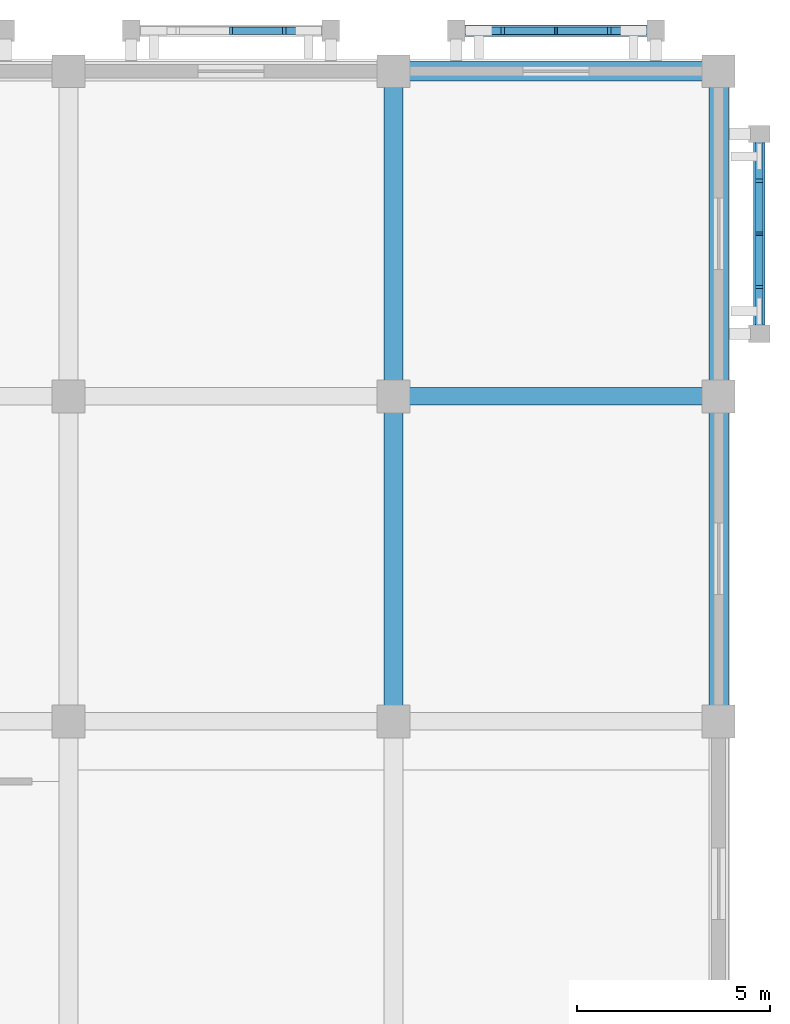
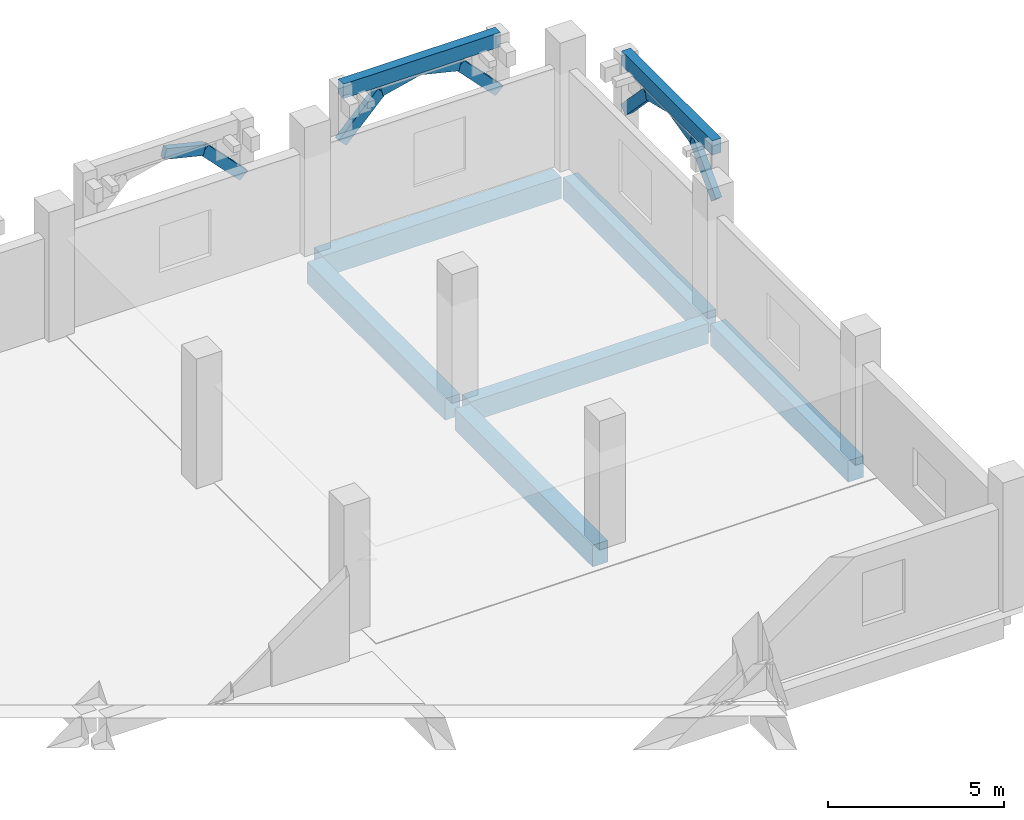
# One storey, part 74 of 137: 10 members, 8 beams.
"""IFC4 building model written with IfcOpenShell, lengths in metres."""

from ifc_helpers import new_model, si_unit, direction, frame, origin, origin_2d, place, context, subcontext, project, spatial, rectangle, extrude, material, material_profile, profile_set, type_object, element, save


model = new_model("IFC4")

# Units and contexts
model_context = context("Model", 3, precision=1e-05, world=origin(), true_north=direction((0.0, 1.0)))
body_context = subcontext(model_context, "Body", "Model", "MODEL_VIEW")
ifc_project = project(units=[si_unit("LENGTHUNIT", "METRE"), si_unit("AREAUNIT", "SQUARE_METRE"), si_unit("VOLUMEUNIT", "CUBIC_METRE"), si_unit("PLANEANGLEUNIT", "RADIAN"), si_unit("MASSUNIT", "GRAM", prefix="KILO")], contexts=[model_context])

# Site, building, storey
site_placement = place(None, origin())
site = spatial("IfcSite", under=ifc_project, at=site_placement, CompositionType="ELEMENT")
building_placement = place(site_placement, origin())
building = spatial("IfcBuilding", under=site, at=building_placement, Name="Xazarin Passage Department Store", CompositionType="ELEMENT")
storey_placement = place(building_placement, frame((0.0, 0.0, 5.39990234375)))
storey = spatial("IfcBuildingStorey", under=building, at=storey_placement, Name="L01", CompositionType="ELEMENT", Elevation=5.39990234375)

# Beams
ifc_material_1 = material(Name="Concrete C35/45", Category="concrete")
ifc_material_profile_1 = material_profile(ifc_material_1, rectangle(XDim=0.449951171875, YDim=0.699951171875, at=origin_2d()), Name="RC 450x700")
ifc_profile_set_1 = profile_set([ifc_material_profile_1], Name="Concrete C35/45")
beam_type_1 = type_object("IfcBeamType", Name="STR-BM-G450x700", PredefinedType="BEAM", material=ifc_profile_set_1)
beam_placement = place(storey_placement, frame((161.47998046875, 101.60009765625, -0.64990234375), z_axis=(1.0, 0.0, 0.0), x_axis=(0.0, 1.0, 0.0)))
element("IfcBeam", 1, at=beam_placement, inside=storey, type_object=beam_type_1, Name="L01 Grid Beam P/22-23", PredefinedType="BEAM", context=body_context, shape_type="SweptSolid", body=[
    extrude(rectangle(XDim=0.449951171875, YDim=0.699951171875, at=origin_2d()), origin(), (0.0, 0.0, 1.0), 7.840087890625),
])
ifc_material_profile_2 = material_profile(ifc_material_1, rectangle(XDim=0.300048828125, YDim=0.5, at=origin_2d()), Name="RC 300x500")
ifc_profile_set_2 = profile_set([ifc_material_profile_2], Name="Concrete C35/45")
beam_type_2 = type_object("IfcBeamType", Name="STR-BM-LN300x500", PredefinedType="LINTEL", material=ifc_profile_set_2)
for number, where, z_axis, x_axis, name in (
    (2, (162.820068359375, 111.050048828125, 4.25), (1.0, 0.0, 0.0), (0.0, 1.0, 0.0), "L01 V4 Colonnade Spandrel Beam 047"),
    (3, (170.64990234375, 103.219970703125, 4.25), (0.0, 1.0, 0.0), (-1.0, 0.0, 0.0), "L01 V4 Colonnade Spandrel Beam 049"),
):
    element("IfcBeam", number, at=place(storey_placement, frame(where, z_axis=z_axis, x_axis=x_axis)), inside=storey, type_object=beam_type_2, Name=name, PredefinedType="LINTEL", context=body_context, shape_type="SweptSolid", body=[
        extrude(rectangle(XDim=0.300048828125, YDim=0.5, at=origin_2d()), origin(), (0.0, 0.0, 1.0), 5.159912109375),
    ])
ifc_material_profile_3 = material_profile(ifc_material_1, rectangle(XDim=0.5, YDim=0.75, at=origin_2d()), Name="RC 500x750")
ifc_profile_set_3 = profile_set([ifc_material_profile_3], Name="Concrete C35/45")
beam_type_3 = type_object("IfcBeamType", Name="STR-BM-SP500x750", PredefinedType="SPANDREL", material=ifc_profile_set_3)
for number, where, z_axis, x_axis, name in (
    (4, (161.47998046875, 110.0, -0.6748046875), (1.0, 0.0, 0.0), (0.0, 1.0, 0.0), "L01 Grid Beam Q/22-23"),
    (5, (161.199951171875, 93.47998046875, -0.6748046875), (0.0, 1.0, 0.0), (-1.0, 0.0, 0.0), "L01 Grid Beam 22/N-P"),
    (6, (161.199951171875, 101.8798828125, -0.6748046875), (0.0, 1.0, 0.0), (-1.0, 0.0, 0.0), "L01 Grid Beam 22/P-Q"),
    (7, (169.60009765625, 93.47998046875, -0.6748046875), (0.0, 1.0, 0.0), (-1.0, 0.0, 0.0), "L01 Grid Beam 23/N-P"),
    (8, (169.60009765625, 101.8798828125, -0.6748046875), (0.0, 1.0, 0.0), (-1.0, 0.0, 0.0), "L01 Grid Beam 23/P-Q"),
):
    element("IfcBeam", number, at=place(storey_placement, frame(where, z_axis=z_axis, x_axis=x_axis)), inside=storey, type_object=beam_type_3, Name=name, PredefinedType="SPANDREL", context=body_context, shape_type="SweptSolid", body=[
        extrude(rectangle(XDim=0.5, YDim=0.75, at=origin_2d()), origin(), (0.0, 0.0, 1.0), 7.840087890625),
    ])

# Members
ifc_material_2 = material(Name="Concrete C40/50", Category="concrete")
ifc_material_profile_4 = material_profile(ifc_material_2, rectangle(XDim=0.199951171875, YDim=0.360107421875, at=origin_2d()), Name="RC 200x360")
ifc_profile_set_4 = profile_set([ifc_material_profile_4], Name="Concrete C40/50")
member_type = type_object("IfcMemberType", Name="STR-MEM-ARC360", PredefinedType="CHORD", material=ifc_profile_set_4)
member_1_placement = place(storey_placement, frame((157.0, 111.050048828125, 4.080078125), z_axis=(0.972393983317, 0.0, -0.233345111818), x_axis=(0.0, 1.0, 0.0)))
element("IfcMember", 9, at=member_1_placement, inside=storey, type_object=member_type, Name="L01 V4 Pierced Lattice Curved Arch 046.3", PredefinedType="CHORD", context=body_context, shape_type="SweptSolid", body=[
    extrude(rectangle(XDim=0.199951171875, YDim=0.360107421875, at=origin_2d()), origin(), (0.0, 0.0, 1.0), 1.32666015625),
])
for number, where, z_axis, x_axis, name in (
    (10, (158.2900390625, 111.050048828125, 3.7705078125), (0.693460080602, 0.0, -0.720495049679), (0.0, 1.0, 0.0), "L01 V4 Pierced Lattice Curved Arch 046.4"),
    (11, (162.820068359375, 111.050048828125, 2.43017578125), (0.693460080602, 0.0, 0.720495049679), (0.0, 1.0, 0.0), "L01 V4 Pierced Lattice Curved Arch 047.1"),
):
    element("IfcMember", number, at=place(storey_placement, frame(where, z_axis=z_axis, x_axis=x_axis)), inside=storey, type_object=member_type, Name=name, PredefinedType="CHORD", context=body_context, shape_type="SweptSolid", body=[
        extrude(rectangle(XDim=0.199951171875, YDim=0.360107421875, at=origin_2d()), origin(), (0.0, 0.0, 1.0), 1.8603515625),
    ])
member_2_placement = place(storey_placement, frame((164.110107421875, 111.050048828125, 3.7705078125), z_axis=(0.972383960415, 0.0, 0.233386875224), x_axis=(0.0, 1.0, 0.0)))
element("IfcMember", 12, at=member_2_placement, inside=storey, type_object=member_type, Name="L01 V4 Pierced Lattice Curved Arch 047.2", PredefinedType="CHORD", context=body_context, shape_type="SweptSolid", body=[
    extrude(rectangle(XDim=0.199951171875, YDim=0.360107421875, at=origin_2d()), origin(), (0.0, 0.0, 1.0), 1.326416015625),
])
member_3_placement = place(storey_placement, frame((165.39990234375, 111.050048828125, 4.080078125), z_axis=(0.972393983317, 0.0, -0.233345111818), x_axis=(0.0, 1.0, 0.0)))
element("IfcMember", 13, at=member_3_placement, inside=storey, type_object=member_type, Name="L01 V4 Pierced Lattice Curved Arch 047.3", PredefinedType="CHORD", context=body_context, shape_type="SweptSolid", body=[
    extrude(rectangle(XDim=0.199951171875, YDim=0.360107421875, at=origin_2d()), origin(), (0.0, 0.0, 1.0), 1.32666015625),
])
for number, where, z_axis, x_axis, name in (
    (14, (166.68994140625, 111.050048828125, 3.7705078125), (0.693460080602, 0.0, -0.720495049679), (0.0, 1.0, 0.0), "L01 V4 Pierced Lattice Curved Arch 047.4"),
    (15, (170.64990234375, 103.219970703125, 2.43017578125), (0.0, 0.693460080602, 0.720495049679), (-1.0, 0.0, 0.0), "L01 V4 Pierced Lattice Curved Arch 049.1"),
):
    element("IfcMember", number, at=place(storey_placement, frame(where, z_axis=z_axis, x_axis=x_axis)), inside=storey, type_object=member_type, Name=name, PredefinedType="CHORD", context=body_context, shape_type="SweptSolid", body=[
        extrude(rectangle(XDim=0.199951171875, YDim=0.360107421875, at=origin_2d()), origin(), (0.0, 0.0, 1.0), 1.8603515625),
    ])
for number, where, z_axis, x_axis, name in (
    (16, (170.64990234375, 104.510009765625, 3.7705078125), (0.0, 0.972393983317, 0.233345111818), (-1.0, 0.0, 0.0), "L01 V4 Pierced Lattice Curved Arch 049.2"),
    (17, (170.64990234375, 105.800048828125, 4.080078125), (0.0, 0.972393983317, -0.233345111818), (-1.0, 0.0, 0.0), "L01 V4 Pierced Lattice Curved Arch 049.3"),
):
    element("IfcMember", number, at=place(storey_placement, frame(where, z_axis=z_axis, x_axis=x_axis)), inside=storey, type_object=member_type, Name=name, PredefinedType="CHORD", context=body_context, shape_type="SweptSolid", body=[
        extrude(rectangle(XDim=0.199951171875, YDim=0.360107421875, at=origin_2d()), origin(), (0.0, 0.0, 1.0), 1.32666015625),
    ])
member_4_placement = place(storey_placement, frame((170.64990234375, 107.090087890625, 3.7705078125), z_axis=(0.0, 0.693391944082, -0.720560623322), x_axis=(-1.0, 0.0, 0.0)))
element("IfcMember", 18, at=member_4_placement, inside=storey, type_object=member_type, Name="L01 V4 Pierced Lattice Curved Arch 049.4", PredefinedType="CHORD", context=body_context, shape_type="SweptSolid", body=[
    extrude(rectangle(XDim=0.199951171875, YDim=0.360107421875, at=origin_2d()), origin(), (0.0, 0.0, 1.0), 1.860107421875),
])

save(model, "model.ifc")
